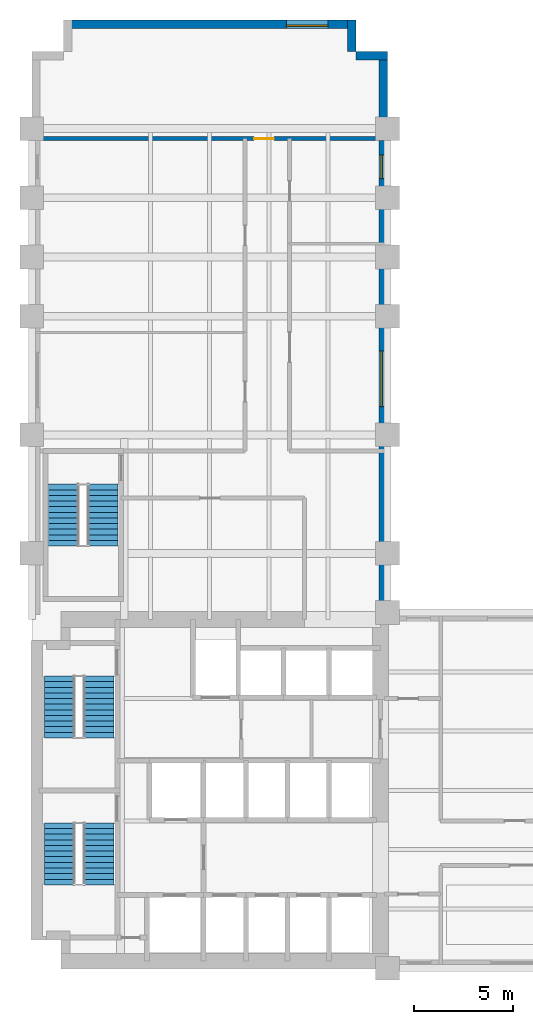
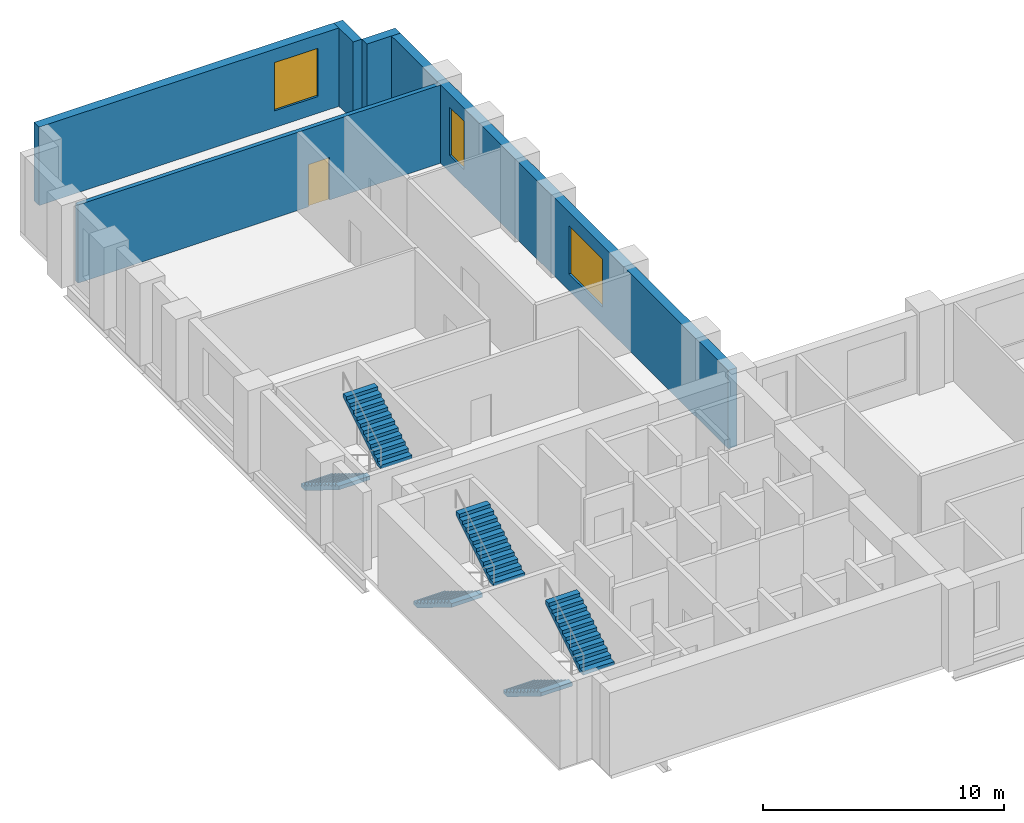
# One storey, part 6 of 7: 6 stair flights, 5 walls, 3 windows, 1 door, 4 openings, 3 elements without a shape of their own.
"""IFC4 building model written with IfcOpenShell, lengths in metres."""

from ifc_helpers import new_model, si_unit, direction, frame, frame_2d, origin, place, context, subcontext, project, spatial, polyline, rectangle, outline, extrude, material, layer, layer_set, type_object, element, fill, aggregate, save


model = new_model("IFC4")

# Units and contexts
model_context = context("Model", 3, precision=1e-05, world=origin(), true_north=direction((0.0, 1.0)))
body_context = subcontext(model_context, "Body", "Model", "MODEL_VIEW")
ifc_project = project(units=[si_unit("LENGTHUNIT", "METRE"), si_unit("AREAUNIT", "SQUARE_METRE"), si_unit("VOLUMEUNIT", "CUBIC_METRE"), si_unit("PLANEANGLEUNIT", "RADIAN"), si_unit("MASSUNIT", "GRAM", prefix="KILO")], contexts=[model_context])

# Site, building, storey
site_placement = place(None, origin())
site = spatial("IfcSite", under=ifc_project, at=site_placement, CompositionType="ELEMENT")
building_placement = place(site_placement, origin())
building = spatial("IfcBuilding", under=site, at=building_placement, Name="Mawjdan Bourse Tower", CompositionType="ELEMENT")
storey_placement = place(building_placement, frame((0.0, 0.0, 34.199951171875)))
storey = spatial("IfcBuildingStorey", under=building, at=storey_placement, Name="L07", CompositionType="ELEMENT", Elevation=34.199951171875)

# Wall, openings, windows
ifc_material_1 = material(Name="Brick Masonry Buff", Category="masonry")
ifc_layer_1 = layer(ifc_material_1, 0.419921875)
ifc_layer_set_1 = layer_set([ifc_layer_1], Name="Brick Masonry Buff")
wall_type_1 = type_object("IfcWallType", Name="WL-BRK-BUFF-420", PredefinedType="STANDARD", material=ifc_layer_set_1)
wall_1_placement = place(storey_placement, frame((23.7900390625, 21.0, 0.0), z_axis=(0.0, 0.0, 1.0), x_axis=(0.0, 1.0, 0.0)))
wall_1 = element("IfcWall", 1, at=wall_1_placement, inside=storey, type_object=wall_type_1, Name="L07 Exterior Brick Wall 8", PredefinedType="STANDARD", context=body_context, shape_type="SweptSolid", body=[
    extrude(rectangle(XDim=28.39990234375, YDim=0.419921875, at=frame_2d((14.199951171875, 0.0))), origin(), (0.0, 0.0, 1.0), 3.97998046875),
])
opening_1_placement = place(wall_1_placement, frame((10.433349609375, 0.0, 0.85009765625)))
opening_1 = element("IfcOpeningElement", 2, at=opening_1_placement, cuts=wall_1, Name="Opening W-L07-04", PredefinedType="OPENING", context=body_context, shape_type="SweptSolid", body=[
    extrude(rectangle(XDim=2.800048828125, YDim=2.449951171875, at=frame_2d((1.39990234375, 1.22509765625))), frame((0.0, 0.219970703125, 0.0), z_axis=(0.0, -1.0, 0.0), x_axis=(1.0, 0.0, 0.0)), (0.0, 0.0, 1.0), 0.43994140625),
])
opening_2_placement = place(wall_1_placement, frame((21.96630859375, 0.0, 0.85009765625)))
opening_2 = element("IfcOpeningElement", 3, at=opening_2_placement, cuts=wall_1, Name="Opening W-L07-16", PredefinedType="OPENING", context=body_context, shape_type="SweptSolid", body=[
    extrude(rectangle(XDim=1.199951171875, YDim=2.449951171875, at=frame_2d((0.60009765625, 1.22509765625))), frame((0.0, 0.219970703125, 0.0), z_axis=(0.0, -1.0, 0.0), x_axis=(1.0, 0.0, 0.0)), (0.0, 0.0, 1.0), 0.43994140625),
])
ifc_material_2 = material(Name="Solar-Control Clear Double Glazing", Category="glass")
window_type_1 = type_object("IfcWindowType", Name="WN-TRD-1200", PartitioningType="SINGLE_PANEL", PredefinedType="WINDOW", material=ifc_material_2)
window_1_placement = place(opening_2_placement, origin())
window_1 = element("IfcWindow", 4, at=window_1_placement, inside=storey, type_object=window_type_1, Name="L07 Deep-Set Masonry Window W-L07-16", OverallHeight=2.449951171875, OverallWidth=1.199951171875, PartitioningType="SINGLE_PANEL", PredefinedType="WINDOW", context=body_context, shape_type="SweptSolid", body=[
    extrude(rectangle(XDim=1.199951171875, YDim=2.449951171875, at=frame_2d((0.60009765625, 1.22509765625))), frame((0.0, 0.110107421875, 0.0), z_axis=(0.0, -1.0, 0.0), x_axis=(1.0, 0.0, 0.0)), (0.0, 0.0, 1.0), 0.06005859375),
])
fill(opening_2, window_1)
window_type_2 = type_object("IfcWindowType", Name="WN-TRD-2800", PartitioningType="SINGLE_PANEL", PredefinedType="WINDOW", material=ifc_material_2)
window_2_placement = place(opening_1_placement, origin())
window_2 = element("IfcWindow", 5, at=window_2_placement, inside=storey, type_object=window_type_2, Name="L07 Deep-Set Masonry Window W-L07-04", OverallHeight=2.449951171875, OverallWidth=2.800048828125, PartitioningType="SINGLE_PANEL", PredefinedType="WINDOW", context=body_context, shape_type="SweptSolid", body=[
    extrude(rectangle(XDim=2.800048828125, YDim=2.449951171875, at=frame_2d((1.39990234375, 1.22509765625))), frame((0.0, 0.110107421875, 0.0), z_axis=(0.0, -1.0, 0.0), x_axis=(1.0, 0.0, 0.0)), (0.0, 0.0, 1.0), 0.06005859375),
])
fill(opening_1, window_2)

# Walls
for number, where, z_axis, x_axis, name in (
    (6, (24.0, 49.18994140625, 0.0), (0.0, 0.0, 1.0), (-1.0, 0.0, 0.0), "L07 Exterior Brick Wall 9"),
    (7, (22.18994140625, 49.39990234375, 0.0), (0.0, 0.0, 1.0), (0.0, 1.0, 0.0), "L07 Exterior Brick Wall 10"),
):
    element("IfcWall", number, at=place(storey_placement, frame(where, z_axis=z_axis, x_axis=x_axis)), inside=storey, type_object=wall_type_1, Name=name, PredefinedType="STANDARD", context=body_context, shape_type="SweptSolid", body=[
        extrude(rectangle(XDim=1.60009765625, YDim=0.419921875, at=frame_2d((0.800048828125, 0.0))), origin(), (0.0, 0.0, 1.0), 3.97998046875),
    ])

# Wall, opening, window
wall_2_placement = place(storey_placement, frame((22.39990234375, 50.7900390625, 0.0), z_axis=(0.0, 0.0, 1.0), x_axis=(-1.0, 0.0, 0.0)))
wall_2 = element("IfcWall", 8, at=wall_2_placement, inside=storey, type_object=wall_type_1, Name="L07 Exterior Brick Wall 11", PredefinedType="STANDARD", context=body_context, shape_type="SweptSolid", body=[
    extrude(rectangle(XDim=14.7998046875, YDim=0.419921875, at=frame_2d((7.39990234375, 0.0))), origin(), (0.0, 0.0, 1.0), 3.97998046875),
])
opening_3_placement = place(wall_2_placement, frame((1.416748046875, 0.0, 0.85009765625)))
opening_3 = element("IfcOpeningElement", 9, at=opening_3_placement, cuts=wall_2, Name="Opening W-L07-05", PredefinedType="OPENING", context=body_context, shape_type="SweptSolid", body=[
    extrude(rectangle(XDim=2.10009765625, YDim=2.449951171875, at=frame_2d((1.050048828125, 1.22509765625))), frame((0.0, 0.219970703125, 0.0), z_axis=(0.0, -1.0, 0.0), x_axis=(1.0, 0.0, 0.0)), (0.0, 0.0, 1.0), 0.43994140625),
])
window_type_3 = type_object("IfcWindowType", Name="WN-TRD-2100", PartitioningType="SINGLE_PANEL", PredefinedType="WINDOW", material=ifc_material_2)
window_3_placement = place(opening_3_placement, origin())
window_3 = element("IfcWindow", 10, at=window_3_placement, inside=storey, type_object=window_type_3, Name="L07 Deep-Set Masonry Window W-L07-05", OverallHeight=2.449951171875, OverallWidth=2.10009765625, PartitioningType="SINGLE_PANEL", PredefinedType="WINDOW", context=body_context, shape_type="SweptSolid", body=[
    extrude(rectangle(XDim=2.10009765625, YDim=2.449951171875, at=frame_2d((1.050048828125, 1.22509765625))), frame((0.0, 0.110107421875, 0.0), z_axis=(0.0, -1.0, 0.0), x_axis=(1.0, 0.0, 0.0)), (0.0, 0.0, 1.0), 0.06005859375),
])
fill(opening_3, window_3)

# Wall, opening, door
ifc_material_3 = material(Name="Gypsum Fireboard Assembly")
ifc_layer_2 = layer(ifc_material_3, 0.199951171875)
ifc_layer_set_2 = layer_set([ifc_layer_2], Name="Gypsum Fireboard Assembly")
wall_type_2 = type_object("IfcWallType", Name="WL-CMP-200", PredefinedType="PARTITIONING", material=ifc_layer_set_2)
wall_3_placement = place(storey_placement, frame((6.179931640625, 45.0, 0.0), z_axis=(0.0, 0.0, 1.0), x_axis=(1.0, 0.0, 0.0)))
wall_3 = element("IfcWall", 11, at=wall_3_placement, inside=storey, type_object=wall_type_2, Name="L07 North Tip Full Cross Wall", PredefinedType="PARTITIONING", context=body_context, shape_type="SweptSolid", body=[
    extrude(rectangle(XDim=17.64013671875, YDim=0.199951171875, at=frame_2d((8.820068359375, 0.0))), origin(), (0.0, 0.0, 1.0), 3.969970703125),
])
opening_4_placement = place(wall_3_placement, frame((11.074951171875, 0.0, 0.0)))
opening_4 = element("IfcOpeningElement", 12, at=opening_4_placement, cuts=wall_3, Name="Opening D-L07-32", PredefinedType="OPENING", context=body_context, shape_type="SweptSolid", body=[
    extrude(rectangle(XDim=1.0, YDim=2.14990234375, at=frame_2d((0.5, 1.074951171875))), frame((0.0, 0.10986328125, 0.0), z_axis=(0.0, -1.0, 0.0), x_axis=(1.0, 0.0, 0.0)), (0.0, 0.0, 1.0), 0.219970703125),
])
ifc_material_4 = material(Name="Hardwood Acoustic Leaf", Category="wood")
door_type = type_object("IfcDoorType", Name="DR-OFC-1000", OperationType="NOTDEFINED", PredefinedType="DOOR", material=ifc_material_4)
door_placement = place(opening_4_placement, origin())
door = element("IfcDoor", 13, at=door_placement, inside=storey, type_object=door_type, Name="L07 North Tip Suite Door D-L07-32", OperationType="SINGLE_SWING_RIGHT", OverallHeight=2.14990234375, OverallWidth=1.0, PredefinedType="DOOR", context=body_context, shape_type="SweptSolid", body=[
    extrude(rectangle(XDim=1.0, YDim=2.14990234375, at=frame_2d((0.5, 1.074951171875))), frame((0.0, 0.02490234375, 0.0), z_axis=(0.0, -1.0, 0.0), x_axis=(1.0, 0.0, 0.0)), (0.0, 0.0, 1.0), 0.050048828125),
])
fill(opening_4, door)

# Stair, stair flights
ifc_material_5 = material(Name="Concrete C50/60", Category="concrete")
stair_type = type_object("IfcStairType", Name="STR-CORE-1500", PredefinedType="HALF_TURN_STAIR", material=ifc_material_5)
stair_1_placement = place(storey_placement, origin())
stair_1 = element("IfcStair", 14, at=stair_1_placement, inside=storey, type_object=stair_type, Name="L07 Exit Stair 1 (Core South-West)", PredefinedType="HALF_TURN_STAIR")
stair_flight_type = type_object("IfcStairFlightType", Name="SFL-RC-1500", PredefinedType="STRAIGHT", material=ifc_material_5)
stair_flight_1_placement = place(storey_placement, frame((7.389892578125, 10.35009765625, 0.0), z_axis=(0.0, 0.0, 1.0), x_axis=(0.0, -1.0, 0.0)))
stair_flight_1 = element("IfcStairFlight", 15, at=stair_flight_1_placement, type_object=stair_flight_type, Name="ST1-L07 flight 1", NumberOfRisers=12, NumberOfTreads=11, PredefinedType="STRAIGHT", RiserHeight=0.175, TreadLength=0.285, context=body_context, shape_type="SweptSolid", body=[
    extrude(outline(polyline([(0.0, 0.0), (0.0, 0.175048828125), (0.284912109375, 0.175048828125), (0.284912109375, 0.35009765625), (0.570068359375, 0.35009765625), (0.570068359375, 0.52490234375), (0.85498046875, 0.52490234375), (0.85498046875, 0.699951171875), (1.139892578125, 0.699951171875), (1.139892578125, 0.875), (1.425048828125, 0.875), (1.425048828125, 1.050048828125), (1.7099609375, 1.050048828125), (1.7099609375, 1.22509765625), (1.9951171875, 1.22509765625), (1.9951171875, 1.39990234375), (2.280029296875, 1.39990234375), (2.280029296875, 1.574951171875), (2.56494140625, 1.574951171875), (2.56494140625, 1.75), (2.85009765625, 1.75), (2.85009765625, 1.925048828125), (3.135009765625, 1.925048828125), (3.135009765625, 2.10009765625), (3.135009765625, 1.7373046875), (0.3056640625, 0.0), (0.0, 0.0)])), frame((0.0, 0.75, 0.0), z_axis=(0.0, -1.0, 0.0), x_axis=(1.0, 0.0, 0.0)), (0.0, 0.0, 1.0), 1.5),
])
stair_flight_2_placement = place(storey_placement, frame((9.409912109375, 7.215087890625, 2.10009765625), z_axis=(0.0, 0.0, 1.0), x_axis=(0.0, 1.0, 0.0)))
stair_flight_2 = element("IfcStairFlight", 16, at=stair_flight_2_placement, type_object=stair_flight_type, Name="ST1-L07 flight 2", NumberOfRisers=12, NumberOfTreads=11, PredefinedType="STRAIGHT", RiserHeight=0.175, TreadLength=0.285, context=body_context, shape_type="SweptSolid", body=[
    extrude(outline(polyline([(0.0, 0.0), (0.0, 0.175048828125), (0.284912109375, 0.175048828125), (0.284912109375, 0.35009765625), (0.570068359375, 0.35009765625), (0.570068359375, 0.52490234375), (0.85498046875, 0.52490234375), (0.85498046875, 0.699951171875), (1.139892578125, 0.699951171875), (1.139892578125, 0.875), (1.425048828125, 0.875), (1.425048828125, 1.050048828125), (1.7099609375, 1.050048828125), (1.7099609375, 1.22509765625), (1.9951171875, 1.22509765625), (1.9951171875, 1.39990234375), (2.280029296875, 1.39990234375), (2.280029296875, 1.574951171875), (2.56494140625, 1.574951171875), (2.56494140625, 1.75), (2.85009765625, 1.75), (2.85009765625, 1.925048828125), (3.135009765625, 1.925048828125), (3.135009765625, 2.10009765625), (3.135009765625, 1.7373046875), (0.3056640625, 0.0), (0.0, 0.0)])), frame((0.0, 0.75, 0.0), z_axis=(0.0, -1.0, 0.0), x_axis=(1.0, 0.0, 0.0)), (0.0, 0.0, 1.0), 1.5),
])
aggregate(stair_1, [stair_flight_1, stair_flight_2])

stair_2_placement = place(storey_placement, origin())
stair_2 = element("IfcStair", 17, at=stair_2_placement, inside=storey, type_object=stair_type, Name="L07 Exit Stair 2 (Core North-West)", PredefinedType="HALF_TURN_STAIR")
stair_flight_3_placement = place(storey_placement, frame((7.389892578125, 17.7900390625, 0.0), z_axis=(0.0, 0.0, 1.0), x_axis=(0.0, -1.0, 0.0)))
stair_flight_3 = element("IfcStairFlight", 18, at=stair_flight_3_placement, type_object=stair_flight_type, Name="ST2-L07 flight 1", NumberOfRisers=12, NumberOfTreads=11, PredefinedType="STRAIGHT", RiserHeight=0.175, TreadLength=0.285, context=body_context, shape_type="SweptSolid", body=[
    extrude(outline(polyline([(0.0, 0.0), (0.0, 0.175048828125), (0.284912109375, 0.175048828125), (0.284912109375, 0.35009765625), (0.570068359375, 0.35009765625), (0.570068359375, 0.52490234375), (0.85498046875, 0.52490234375), (0.85498046875, 0.699951171875), (1.139892578125, 0.699951171875), (1.139892578125, 0.875), (1.425048828125, 0.875), (1.425048828125, 1.050048828125), (1.7099609375, 1.050048828125), (1.7099609375, 1.22509765625), (1.9951171875, 1.22509765625), (1.9951171875, 1.39990234375), (2.280029296875, 1.39990234375), (2.280029296875, 1.574951171875), (2.56494140625, 1.574951171875), (2.56494140625, 1.75), (2.85009765625, 1.75), (2.85009765625, 1.925048828125), (3.135009765625, 1.925048828125), (3.135009765625, 2.10009765625), (3.135009765625, 1.7373046875), (0.3056640625, 0.0), (0.0, 0.0)])), frame((0.0, 0.75, 0.0), z_axis=(0.0, -1.0, 0.0), x_axis=(1.0, 0.0, 0.0)), (0.0, 0.0, 1.0), 1.5),
])
stair_flight_4_placement = place(storey_placement, frame((9.409912109375, 14.655029296875, 2.10009765625), z_axis=(0.0, 0.0, 1.0), x_axis=(0.0, 1.0, 0.0)))
stair_flight_4 = element("IfcStairFlight", 19, at=stair_flight_4_placement, type_object=stair_flight_type, Name="ST2-L07 flight 2", NumberOfRisers=12, NumberOfTreads=11, PredefinedType="STRAIGHT", RiserHeight=0.175, TreadLength=0.285, context=body_context, shape_type="SweptSolid", body=[
    extrude(outline(polyline([(0.0, 0.0), (0.0, 0.175048828125), (0.284912109375, 0.175048828125), (0.284912109375, 0.35009765625), (0.570068359375, 0.35009765625), (0.570068359375, 0.52490234375), (0.85498046875, 0.52490234375), (0.85498046875, 0.699951171875), (1.139892578125, 0.699951171875), (1.139892578125, 0.875), (1.425048828125, 0.875), (1.425048828125, 1.050048828125), (1.7099609375, 1.050048828125), (1.7099609375, 1.22509765625), (1.9951171875, 1.22509765625), (1.9951171875, 1.39990234375), (2.280029296875, 1.39990234375), (2.280029296875, 1.574951171875), (2.56494140625, 1.574951171875), (2.56494140625, 1.75), (2.85009765625, 1.75), (2.85009765625, 1.925048828125), (3.135009765625, 1.925048828125), (3.135009765625, 2.10009765625), (3.135009765625, 1.7373046875), (0.3056640625, 0.0), (0.0, 0.0)])), frame((0.0, 0.75, 0.0), z_axis=(0.0, -1.0, 0.0), x_axis=(1.0, 0.0, 0.0)), (0.0, 0.0, 1.0), 1.5),
])
aggregate(stair_2, [stair_flight_3, stair_flight_4])

stair_3_placement = place(storey_placement, origin())
stair_3 = element("IfcStair", 20, at=stair_3_placement, inside=storey, type_object=stair_type, Name="L07 Exit Stair 3 (North Wing)", PredefinedType="HALF_TURN_STAIR")
stair_flight_5_placement = place(storey_placement, frame((7.590087890625, 27.5, 0.0), z_axis=(0.0, 0.0, 1.0), x_axis=(0.0, -1.0, 0.0)))
stair_flight_5 = element("IfcStairFlight", 21, at=stair_flight_5_placement, type_object=stair_flight_type, Name="ST3-L07 flight 1", NumberOfRisers=12, NumberOfTreads=11, PredefinedType="STRAIGHT", RiserHeight=0.175, TreadLength=0.285, context=body_context, shape_type="SweptSolid", body=[
    extrude(outline(polyline([(0.0, 0.0), (0.0, 0.175048828125), (0.284912109375, 0.175048828125), (0.284912109375, 0.35009765625), (0.570068359375, 0.35009765625), (0.570068359375, 0.52490234375), (0.85498046875, 0.52490234375), (0.85498046875, 0.699951171875), (1.139892578125, 0.699951171875), (1.139892578125, 0.875), (1.425048828125, 0.875), (1.425048828125, 1.050048828125), (1.7099609375, 1.050048828125), (1.7099609375, 1.22509765625), (1.9951171875, 1.22509765625), (1.9951171875, 1.39990234375), (2.280029296875, 1.39990234375), (2.280029296875, 1.574951171875), (2.56494140625, 1.574951171875), (2.56494140625, 1.75), (2.85009765625, 1.75), (2.85009765625, 1.925048828125), (3.135009765625, 1.925048828125), (3.135009765625, 2.10009765625), (3.135009765625, 1.7373046875), (0.3056640625, 0.0), (0.0, 0.0)])), frame((0.0, 0.75, 0.0), z_axis=(0.0, -1.0, 0.0), x_axis=(1.0, 0.0, 0.0)), (0.0, 0.0, 1.0), 1.5),
])
stair_flight_6_placement = place(storey_placement, frame((9.610107421875, 24.364990234375, 2.10009765625), z_axis=(0.0, 0.0, 1.0), x_axis=(0.0, 1.0, 0.0)))
stair_flight_6 = element("IfcStairFlight", 22, at=stair_flight_6_placement, type_object=stair_flight_type, Name="ST3-L07 flight 2", NumberOfRisers=12, NumberOfTreads=11, PredefinedType="STRAIGHT", RiserHeight=0.175, TreadLength=0.285, context=body_context, shape_type="SweptSolid", body=[
    extrude(outline(polyline([(0.0, 0.0), (0.0, 0.175048828125), (0.284912109375, 0.175048828125), (0.284912109375, 0.35009765625), (0.570068359375, 0.35009765625), (0.570068359375, 0.52490234375), (0.85498046875, 0.52490234375), (0.85498046875, 0.699951171875), (1.139892578125, 0.699951171875), (1.139892578125, 0.875), (1.425048828125, 0.875), (1.425048828125, 1.050048828125), (1.7099609375, 1.050048828125), (1.7099609375, 1.22509765625), (1.9951171875, 1.22509765625), (1.9951171875, 1.39990234375), (2.280029296875, 1.39990234375), (2.280029296875, 1.574951171875), (2.56494140625, 1.574951171875), (2.56494140625, 1.75), (2.85009765625, 1.75), (2.85009765625, 1.925048828125), (3.135009765625, 1.925048828125), (3.135009765625, 2.10009765625), (3.135009765625, 1.7373046875), (0.3056640625, 0.0), (0.0, 0.0)])), frame((0.0, 0.75, 0.0), z_axis=(0.0, -1.0, 0.0), x_axis=(1.0, 0.0, 0.0)), (0.0, 0.0, 1.0), 1.5),
])
aggregate(stair_3, [stair_flight_5, stair_flight_6])

save(model, "model.ifc")
